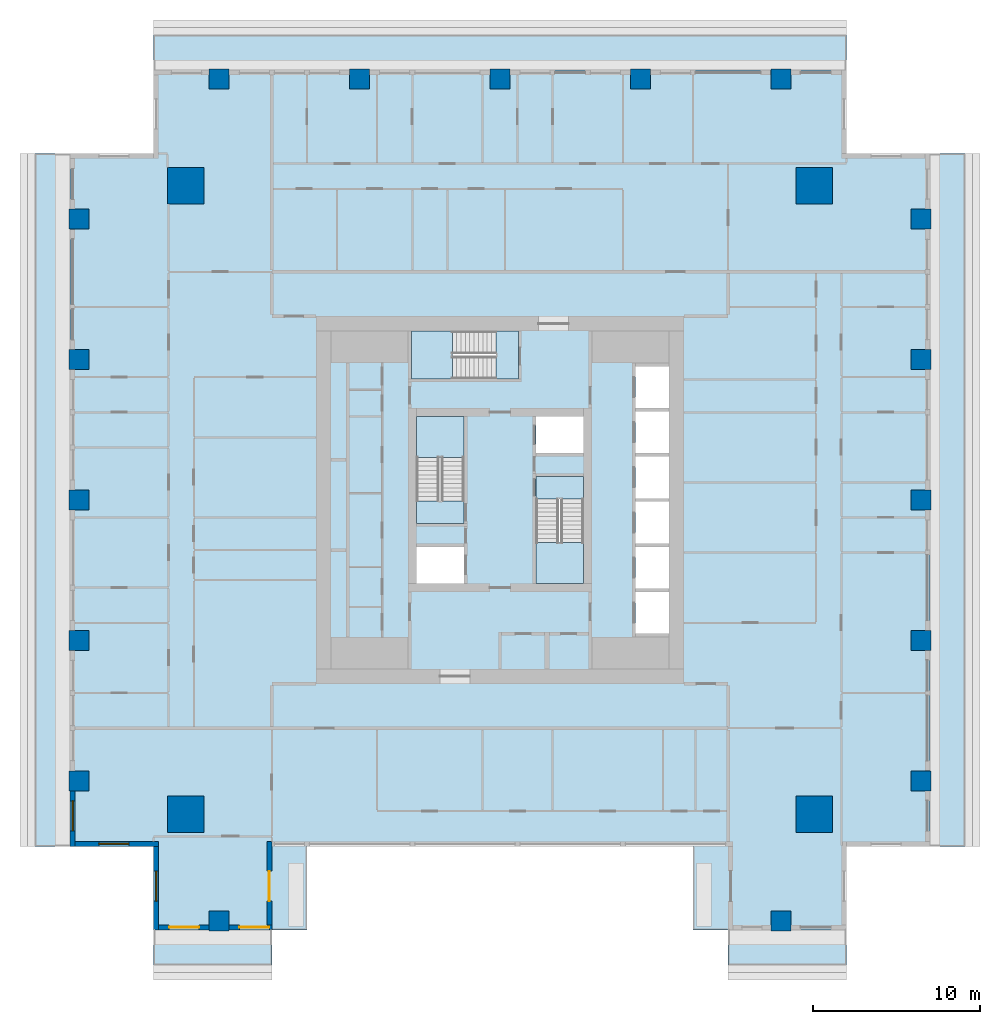
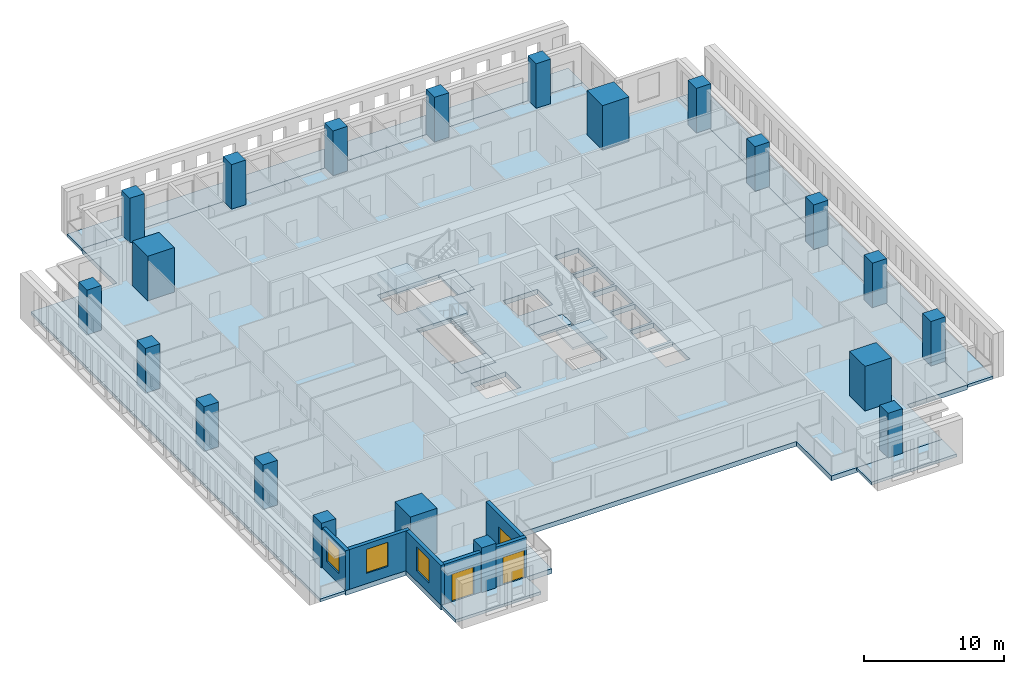
# One storey, part 1 of 14: 21 columns, 12 slabs, 6 walls, 3 doors, 3 windows, 6 openings, 3 elements without a shape of their own.
"""IFC4 building model written with IfcOpenShell, lengths in metres."""

from ifc_helpers import new_model, si_unit, direction, frame, frame_2d, origin, origin_2d, place, context, subcontext, project, spatial, polyline, rectangle, outline, extrude, material, layer, layer_set, material_profile, profile_set, type_object, element, fill, aggregate, save


model = new_model("IFC4")

# Units and contexts
model_context = context("Model", 3, precision=1e-05, world=origin(), true_north=direction((0.0, 1.0)))
body_context = subcontext(model_context, "Body", "Model", "MODEL_VIEW")
ifc_project = project(units=[si_unit("LENGTHUNIT", "METRE"), si_unit("AREAUNIT", "SQUARE_METRE"), si_unit("VOLUMEUNIT", "CUBIC_METRE"), si_unit("PLANEANGLEUNIT", "RADIAN"), si_unit("MASSUNIT", "GRAM", prefix="KILO")], contexts=[model_context])

# Site, building, storey
site_placement = place(None, origin())
site = spatial("IfcSite", under=ifc_project, at=site_placement, CompositionType="ELEMENT")
building_placement = place(site_placement, origin())
building = spatial("IfcBuilding", under=site, at=building_placement, Name="Khepri Terraces", CompositionType="ELEMENT")
storey_placement = place(building_placement, frame((0.0, 0.0, 279.60009765625)))
storey = spatial("IfcBuildingStorey", under=building, at=storey_placement, Name="L67", CompositionType="ELEMENT", Elevation=279.60009765625)

# Columns
ifc_material_1 = material(Name="Concrete C40/50", Category="concrete")
ifc_material_profile_1 = material_profile(ifc_material_1, rectangle(XDim=2.199951171875, YDim=2.199951171875, at=origin_2d()), Name="Concrete C40/50", Category="concrete")
ifc_profile_set_1 = profile_set([ifc_material_profile_1], Name="Concrete C40/50")
column_type_1 = type_object("IfcColumnType", Name="Mega column RC 2200x2200 C40/50", PredefinedType="COLUMN", material=ifc_profile_set_1)
for number, where, z_axis, x_axis, name in (
    (1, (18.800048828125, 18.800048828125, 0.0), (0.0, 0.0, 1.0), (1.0, 0.0, 0.0), "Mega column MEN L67"),
    (2, (18.800048828125, -18.800048828125, 0.0), (0.0, 0.0, 1.0), (1.0, 0.0, 0.0), "Mega column MES L67"),
    (3, (-18.800048828125, 18.800048828125, 0.0), (0.0, 0.0, 1.0), (1.0, 0.0, 0.0), "Mega column MWN L67"),
    (4, (-18.800048828125, -18.800048828125, 0.0), (0.0, 0.0, 1.0), (1.0, 0.0, 0.0), "Mega column MWS L67"),
):
    element("IfcColumn", number, at=place(storey_placement, frame(where, z_axis=z_axis, x_axis=x_axis)), inside=storey, type_object=column_type_1, Name=name, PredefinedType="COLUMN", context=body_context, shape_type="SweptSolid", body=[
        extrude(rectangle(XDim=2.199951171875, YDim=2.199951171875, at=origin_2d()), origin(), (0.0, 0.0, 1.0), 3.89990234375),
    ])
ifc_material_profile_2 = material_profile(ifc_material_1, rectangle(XDim=1.199951171875, YDim=1.199951171875, at=origin_2d()), Name="Concrete C40/50", Category="concrete")
ifc_profile_set_2 = profile_set([ifc_material_profile_2], Name="Concrete C40/50")
column_type_2 = type_object("IfcColumnType", Name="Tower column RC 1200x1200 C40/50", PredefinedType="COLUMN", material=ifc_profile_set_2)
for number, where, z_axis, x_axis, name in (
    (5, (25.199951171875, 0.0, 0.0), (0.0, 0.0, 1.0), (1.0, 0.0, 0.0), "Perimeter column PE+000b L67"),
    (6, (25.199951171875, 8.39990234375, 0.0), (0.0, 0.0, 1.0), (1.0, 0.0, 0.0), "Perimeter column PE+084b L67"),
    (7, (25.199951171875, 16.800048828125, 0.0), (0.0, 0.0, 1.0), (1.0, 0.0, 0.0), "Perimeter column PE+168a L67"),
    (8, (25.199951171875, -8.39990234375, 0.0), (0.0, 0.0, 1.0), (1.0, 0.0, 0.0), "Perimeter column PE-084b L67"),
    (9, (25.199951171875, -16.800048828125, 0.0), (0.0, 0.0, 1.0), (1.0, 0.0, 0.0), "Perimeter column PE-168a L67"),
    (10, (0.0, 25.199951171875, 0.0), (0.0, 0.0, 1.0), (1.0, 0.0, 0.0), "Perimeter column PN+000b L67"),
    (11, (-8.39990234375, 25.199951171875, 0.0), (0.0, 0.0, 1.0), (1.0, 0.0, 0.0), "Perimeter column PN+084b L67"),
    (12, (-16.800048828125, 25.199951171875, 0.0), (0.0, 0.0, 1.0), (1.0, 0.0, 0.0), "Perimeter column PN+168a L67"),
    (13, (8.39990234375, 25.199951171875, 0.0), (0.0, 0.0, 1.0), (1.0, 0.0, 0.0), "Perimeter column PN-084b L67"),
    (14, (16.800048828125, 25.199951171875, 0.0), (0.0, 0.0, 1.0), (1.0, 0.0, 0.0), "Perimeter column PN-168a L67"),
    (15, (16.800048828125, -25.199951171875, 0.0), (0.0, 0.0, 1.0), (1.0, 0.0, 0.0), "Perimeter column PS+168a L67"),
    (16, (-16.800048828125, -25.199951171875, 0.0), (0.0, 0.0, 1.0), (1.0, 0.0, 0.0), "Perimeter column PS-168a L67"),
    (17, (-25.199951171875, 0.0, 0.0), (0.0, 0.0, 1.0), (1.0, 0.0, 0.0), "Perimeter column PW+000b L67"),
    (18, (-25.199951171875, -8.39990234375, 0.0), (0.0, 0.0, 1.0), (1.0, 0.0, 0.0), "Perimeter column PW+084b L67"),
    (19, (-25.199951171875, -16.800048828125, 0.0), (0.0, 0.0, 1.0), (1.0, 0.0, 0.0), "Perimeter column PW+168a L67"),
    (20, (-25.199951171875, 8.39990234375, 0.0), (0.0, 0.0, 1.0), (1.0, 0.0, 0.0), "Perimeter column PW-084b L67"),
    (21, (-25.199951171875, 16.800048828125, 0.0), (0.0, 0.0, 1.0), (1.0, 0.0, 0.0), "Perimeter column PW-168a L67"),
):
    element("IfcColumn", number, at=place(storey_placement, frame(where, z_axis=z_axis, x_axis=x_axis)), inside=storey, type_object=column_type_2, Name=name, PredefinedType="COLUMN", context=body_context, shape_type="SweptSolid", body=[
        extrude(rectangle(XDim=1.199951171875, YDim=1.199951171875, at=origin_2d()), origin(), (0.0, 0.0, 1.0), 3.89990234375),
    ])

# Slabs
ifc_layer_1 = layer(ifc_material_1, 0.419921875, Name="Concrete C40/50", Category="concrete")
ifc_layer_set_1 = layer_set([ifc_layer_1], Name="Concrete C40/50")
slab_type_1 = type_object("IfcSlabType", Name="Flat plate 420", PredefinedType="FLOOR", material=ifc_layer_set_1)
slab_1_placement = place(storey_placement, frame((0.0, 0.0, -0.420166015625)))
element("IfcSlab", 22, at=slab_1_placement, inside=storey, type_object=slab_type_1, Name="Floor slab F01 L67", PredefinedType="FLOOR", context=body_context, shape_type="SweptSolid", body=[
    extrude(outline(polyline([(25.719970703125, -20.719970703125), (20.719970703125, -20.719970703125), (20.719970703125, -25.719970703125), (13.64990234375, -25.719970703125), (11.550048828125, -25.719970703125), (11.550048828125, -20.719970703125), (-11.550048828125, -20.719970703125), (-11.550048828125, -25.719970703125), (-13.64990234375, -25.719970703125), (-20.719970703125, -25.719970703125), (-20.719970703125, -20.719970703125), (-25.719970703125, -20.719970703125), (-25.719970703125, 20.719970703125), (-20.719970703125, 20.719970703125), (-20.719970703125, 25.719970703125), (20.719970703125, 25.719970703125), (20.719970703125, 20.719970703125), (25.719970703125, 20.719970703125), (25.719970703125, -20.719970703125)]), holes=[polyline([(2.14990234375, 2.800048828125), (5.0, 2.800048828125), (5.0, 5.0), (2.14990234375, 5.0), (2.14990234375, 2.800048828125)]), polyline([(-5.0, -2.800048828125), (-5.0, -5.0), (-2.14990234375, -5.0), (-2.14990234375, -2.800048828125), (-5.0, -2.800048828125)]), polyline([(10.10009765625, -5.5), (8.10009765625, -5.5), (8.10009765625, -8.0), (10.10009765625, -8.0), (10.10009765625, -5.5)]), polyline([(10.10009765625, -5.300048828125), (10.10009765625, -2.800048828125), (8.10009765625, -2.800048828125), (8.10009765625, -5.300048828125), (10.10009765625, -5.300048828125)]), polyline([(8.10009765625, -2.60009765625), (10.10009765625, -2.60009765625), (10.10009765625, -0.10009765625), (8.10009765625, -0.10009765625), (8.10009765625, -2.60009765625)]), polyline([(8.10009765625, 2.60009765625), (8.10009765625, 0.10009765625), (10.10009765625, 0.10009765625), (10.10009765625, 2.60009765625), (8.10009765625, 2.60009765625)]), polyline([(10.10009765625, 5.300048828125), (8.10009765625, 5.300048828125), (8.10009765625, 2.800048828125), (10.10009765625, 2.800048828125), (10.10009765625, 5.300048828125)]), polyline([(10.10009765625, 5.5), (10.10009765625, 8.0), (8.10009765625, 8.0), (8.10009765625, 5.5), (10.10009765625, 5.5)]), polyline([(-5.0, -1.39990234375), (-2.14990234375, -1.39990234375), (-2.14990234375, 5.0), (-5.0, 5.0), (-5.0, -1.39990234375)]), polyline([(5.0, -5.0), (5.0, 1.39990234375), (2.14990234375, 1.39990234375), (2.14990234375, -5.0), (5.0, -5.0)]), polyline([(-5.300048828125, 10.10009765625), (-5.300048828125, 7.25), (1.10009765625, 7.25), (1.10009765625, 10.10009765625), (-5.300048828125, 10.10009765625)])]), origin(), (0.0, 0.0, 1.0), 0.420166015625),
])
ifc_material_2 = material(Name="Precast concrete C50/60 warm stone", Category="masonry")
ifc_layer_2 = layer(ifc_material_2, 0.25, Name="Precast concrete C50/60 warm stone", Category="masonry")
ifc_layer_set_2 = layer_set([ifc_layer_2], Name="Precast concrete C50/60 warm stone")
slab_type_2 = type_object("IfcSlabType", Name="SLB-BALCONY-250", PredefinedType="FLOOR", material=ifc_layer_set_2)
slab_2_placement = place(storey_placement, frame((0.0, 0.0, -0.25)))
element("IfcSlab", 23, at=slab_2_placement, inside=storey, type_object=slab_type_2, Name="Balcony slab L67 S", PredefinedType="FLOOR", context=body_context, shape_type="SweptSolid", body=[
    extrude(outline(polyline([(-17.39990234375, -25.719970703125), (-20.719970703125, -25.719970703125), (-20.719970703125, -27.820068359375), (-13.64990234375, -27.820068359375), (-13.64990234375, -25.719970703125), (-16.199951171875, -25.719970703125), (-16.199951171875, -25.800048828125), (-17.39990234375, -25.800048828125), (-17.39990234375, -25.719970703125)])), origin(), (0.0, 0.0, 1.0), 0.25),
])
slab_3_placement = place(storey_placement, frame((0.0, 0.0, -0.25)))
element("IfcSlab", 24, at=slab_3_placement, inside=storey, type_object=slab_type_2, Name="Balcony slab L67 S", PredefinedType="FLOOR", context=body_context, shape_type="SweptSolid", body=[
    extrude(outline(polyline([(16.199951171875, -25.719970703125), (13.64990234375, -25.719970703125), (13.64990234375, -27.820068359375), (20.719970703125, -27.820068359375), (20.719970703125, -25.719970703125), (17.39990234375, -25.719970703125), (17.39990234375, -25.800048828125), (16.199951171875, -25.800048828125), (16.199951171875, -25.719970703125)])), origin(), (0.0, 0.0, 1.0), 0.25),
])
slab_4_placement = place(storey_placement, frame((0.0, 0.0, -0.25)))
element("IfcSlab", 25, at=slab_4_placement, inside=storey, type_object=slab_type_2, Name="Balcony slab L67 E", PredefinedType="FLOOR", context=body_context, shape_type="SweptSolid", body=[
    extrude(outline(polyline([(25.719970703125, -17.39990234375), (25.719970703125, -20.719970703125), (27.820068359375, -20.719970703125), (27.820068359375, 20.719970703125), (25.719970703125, 20.719970703125), (25.719970703125, 17.39990234375), (25.800048828125, 17.39990234375), (25.800048828125, 16.199951171875), (25.719970703125, 16.199951171875), (25.719970703125, 9.0), (25.800048828125, 9.0), (25.800048828125, 7.800048828125), (25.719970703125, 7.800048828125), (25.719970703125, 0.60009765625), (25.800048828125, 0.60009765625), (25.800048828125, -0.60009765625), (25.719970703125, -0.60009765625), (25.719970703125, -7.800048828125), (25.800048828125, -7.800048828125), (25.800048828125, -9.0), (25.719970703125, -9.0), (25.719970703125, -16.199951171875), (25.800048828125, -16.199951171875), (25.800048828125, -17.39990234375), (25.719970703125, -17.39990234375)])), origin(), (0.0, 0.0, 1.0), 0.25),
])
slab_5_placement = place(storey_placement, frame((0.0, 0.0, -0.25)))
element("IfcSlab", 26, at=slab_5_placement, inside=storey, type_object=slab_type_2, Name="Balcony slab L67 N", PredefinedType="FLOOR", context=body_context, shape_type="SweptSolid", body=[
    extrude(outline(polyline([(17.39990234375, 25.719970703125), (20.719970703125, 25.719970703125), (20.719970703125, 27.820068359375), (-20.719970703125, 27.820068359375), (-20.719970703125, 25.719970703125), (-17.39990234375, 25.719970703125), (-17.39990234375, 25.800048828125), (-16.199951171875, 25.800048828125), (-16.199951171875, 25.719970703125), (-9.0, 25.719970703125), (-9.0, 25.800048828125), (-7.800048828125, 25.800048828125), (-7.800048828125, 25.719970703125), (-0.60009765625, 25.719970703125), (-0.60009765625, 25.800048828125), (0.60009765625, 25.800048828125), (0.60009765625, 25.719970703125), (7.800048828125, 25.719970703125), (7.800048828125, 25.800048828125), (9.0, 25.800048828125), (9.0, 25.719970703125), (16.199951171875, 25.719970703125), (16.199951171875, 25.800048828125), (17.39990234375, 25.800048828125), (17.39990234375, 25.719970703125)])), origin(), (0.0, 0.0, 1.0), 0.25),
])
slab_6_placement = place(storey_placement, frame((0.0, 0.0, -0.25)))
element("IfcSlab", 27, at=slab_6_placement, inside=storey, type_object=slab_type_2, Name="Balcony slab L67 W", PredefinedType="FLOOR", context=body_context, shape_type="SweptSolid", body=[
    extrude(outline(polyline([(-25.719970703125, 17.39990234375), (-25.719970703125, 20.719970703125), (-27.820068359375, 20.719970703125), (-27.820068359375, -20.719970703125), (-25.719970703125, -20.719970703125), (-25.719970703125, -17.39990234375), (-25.800048828125, -17.39990234375), (-25.800048828125, -16.199951171875), (-25.719970703125, -16.199951171875), (-25.719970703125, -9.0), (-25.800048828125, -9.0), (-25.800048828125, -7.800048828125), (-25.719970703125, -7.800048828125), (-25.719970703125, -0.60009765625), (-25.800048828125, -0.60009765625), (-25.800048828125, 0.60009765625), (-25.719970703125, 0.60009765625), (-25.719970703125, 7.800048828125), (-25.800048828125, 7.800048828125), (-25.800048828125, 9.0), (-25.719970703125, 9.0), (-25.719970703125, 16.199951171875), (-25.800048828125, 16.199951171875), (-25.800048828125, 17.39990234375), (-25.719970703125, 17.39990234375)])), origin(), (0.0, 0.0, 1.0), 0.25),
])

# Stair, slabs
stair_type = type_object("IfcStairType", Name="STAIR-RC-22R", PredefinedType="HALF_TURN_STAIR", material=ifc_material_1)
stair_1_placement = place(storey_placement, origin())
stair_1 = element("IfcStair", 28, at=stair_1_placement, inside=storey, type_object=stair_type, Name="L67 Exit Stair ST-1", PredefinedType="HALF_TURN_STAIR")
ifc_layer_3 = layer(ifc_material_1, 0.199951171875, Name="Concrete C40/50", Category="concrete")
ifc_layer_set_3 = layer_set([ifc_layer_3], Name="Concrete C40/50")
slab_type_3 = type_object("IfcSlabType", Name="SLB-CORE-LANDING", PredefinedType="LANDING", material=ifc_layer_set_3)
slab_7_placement = place(storey_placement, frame((0.0, 0.0, -0.2001953125)))
slab_7 = element("IfcSlab", 29, at=slab_7_placement, type_object=slab_type_3, Name="ST-1 landing 1", PredefinedType="LANDING", context=body_context, shape_type="SweptSolid", body=[
    extrude(outline(polyline([(-2.14990234375, -1.39990234375), (-2.14990234375, -0.050048828125), (-5.0, -0.050048828125), (-5.0, -1.39990234375), (-2.14990234375, -1.39990234375)])), origin(), (0.0, 0.0, 1.0), 0.2001953125),
])
slab_8_placement = place(storey_placement, frame((0.0, 0.0, 1.75)))
slab_8 = element("IfcSlab", 30, at=slab_8_placement, type_object=slab_type_3, Name="ST-1 landing 2", PredefinedType="LANDING", context=body_context, shape_type="SweptSolid", body=[
    extrude(outline(polyline([(-2.14990234375, 2.550048828125), (-2.14990234375, 5.0), (-5.0, 5.0), (-5.0, 2.550048828125), (-2.14990234375, 2.550048828125)])), origin(), (0.0, 0.0, 1.0), 0.199951171875),
])
aggregate(stair_1, [slab_7, slab_8])

stair_2_placement = place(storey_placement, origin())
stair_2 = element("IfcStair", 31, at=stair_2_placement, inside=storey, type_object=stair_type, Name="L67 Exit Stair ST-2", PredefinedType="HALF_TURN_STAIR")
slab_9_placement = place(storey_placement, frame((0.0, 0.0, -0.2001953125)))
slab_9 = element("IfcSlab", 32, at=slab_9_placement, type_object=slab_type_3, Name="ST-2 landing 1", PredefinedType="LANDING", context=body_context, shape_type="SweptSolid", body=[
    extrude(outline(polyline([(2.14990234375, 1.39990234375), (2.14990234375, 0.050048828125), (5.0, 0.050048828125), (5.0, 1.39990234375), (2.14990234375, 1.39990234375)])), origin(), (0.0, 0.0, 1.0), 0.2001953125),
])
slab_10_placement = place(storey_placement, frame((0.0, 0.0, 1.75)))
slab_10 = element("IfcSlab", 33, at=slab_10_placement, type_object=slab_type_3, Name="ST-2 landing 2", PredefinedType="LANDING", context=body_context, shape_type="SweptSolid", body=[
    extrude(outline(polyline([(2.14990234375, -2.550048828125), (2.14990234375, -5.0), (5.0, -5.0), (5.0, -2.550048828125), (2.14990234375, -2.550048828125)])), origin(), (0.0, 0.0, 1.0), 0.199951171875),
])
aggregate(stair_2, [slab_9, slab_10])

stair_3_placement = place(storey_placement, origin())
stair_3 = element("IfcStair", 34, at=stair_3_placement, inside=storey, type_object=stair_type, Name="L67 Exit Stair ST-3", PredefinedType="HALF_TURN_STAIR")
slab_11_placement = place(storey_placement, frame((0.0, 0.0, -0.2001953125)))
slab_11 = element("IfcSlab", 35, at=slab_11_placement, type_object=slab_type_3, Name="ST-3 landing 1", PredefinedType="LANDING", context=body_context, shape_type="SweptSolid", body=[
    extrude(outline(polyline([(1.10009765625, 10.10009765625), (-0.25, 10.10009765625), (-0.25, 7.25), (1.10009765625, 7.25), (1.10009765625, 10.10009765625)])), origin(), (0.0, 0.0, 1.0), 0.2001953125),
])
slab_12_placement = place(storey_placement, frame((0.0, 0.0, 1.75)))
slab_12 = element("IfcSlab", 36, at=slab_12_placement, type_object=slab_type_3, Name="ST-3 landing 2", PredefinedType="LANDING", context=body_context, shape_type="SweptSolid", body=[
    extrude(outline(polyline([(-2.85009765625, 10.10009765625), (-5.300048828125, 10.10009765625), (-5.300048828125, 7.25), (-2.85009765625, 7.25), (-2.85009765625, 10.10009765625)])), origin(), (0.0, 0.0, 1.0), 0.199951171875),
])
aggregate(stair_3, [slab_11, slab_12])

# Wall, opening, window
ifc_layer_4 = layer(ifc_material_2, 0.300048828125, Name="Precast concrete C50/60 warm stone", Category="masonry")
ifc_layer_set_4 = layer_set([ifc_layer_4], Name="Precast concrete C50/60 warm stone")
wall_type = type_object("IfcWallType", Name="WL-EXT-PRECAST-300", PredefinedType="STANDARD", material=ifc_layer_set_4)
wall_1_placement = place(storey_placement, frame((-25.570068359375, -17.39990234375, 0.0), z_axis=(0.0, 0.0, 1.0), x_axis=(0.0, -1.0, 0.0)))
wall_1 = element("IfcWall", 37, at=wall_1_placement, inside=storey, type_object=wall_type, Name="External wall L67 W", PredefinedType="STANDARD", context=body_context, shape_type="SweptSolid", body=[
    extrude(rectangle(XDim=3.320068359375, YDim=0.300048828125, at=frame_2d((1.66015625, 0.0))), origin(), (0.0, 0.0, 1.0), 3.47998046875),
])
opening_1_placement = place(wall_1_placement, frame((0.60009765625, 0.0, 0.89990234375)))
opening_1 = element("IfcOpeningElement", 38, at=opening_1_placement, cuts=wall_1, Name="Opening W1", PredefinedType="OPENING", context=body_context, shape_type="SweptSolid", body=[
    extrude(rectangle(XDim=1.800048828125, YDim=2.10009765625, at=frame_2d((0.89990234375, 1.050048828125))), frame((0.0, 0.16015625, 0.0), z_axis=(0.0, -1.0, 0.0), x_axis=(1.0, 0.0, 0.0)), (0.0, 0.0, 1.0), 0.320068359375),
])
ifc_material_3 = material(Name="Clear glass", Category="glass")
window_type = type_object("IfcWindowType", Name="WIN-RES-1800x2100", PartitioningType="SINGLE_PANEL", PredefinedType="WINDOW", material=ifc_material_3)
window_1_placement = place(opening_1_placement, origin())
window_1 = element("IfcWindow", 39, at=window_1_placement, inside=storey, type_object=window_type, Name="Window L67 W", OverallHeight=2.10009765625, OverallWidth=1.800048828125, PartitioningType="SINGLE_PANEL", PredefinedType="WINDOW", context=body_context, shape_type="SweptSolid", body=[
    extrude(rectangle(XDim=1.800048828125, YDim=2.10009765625, at=frame_2d((0.89990234375, 1.050048828125))), frame((0.0, 0.030029296875, 0.0), z_axis=(0.0, -1.0, 0.0), x_axis=(1.0, 0.0, 0.0)), (0.0, 0.0, 1.0), 0.06005859375),
])
fill(opening_1, window_1)

wall_2_placement = place(storey_placement, frame((-25.419921875, -20.570068359375, 0.0), z_axis=(0.0, 0.0, 1.0), x_axis=(1.0, 0.0, 0.0)))
wall_2 = element("IfcWall", 40, at=wall_2_placement, inside=storey, type_object=wall_type, Name="External wall L67 S", PredefinedType="STANDARD", context=body_context, shape_type="SweptSolid", body=[
    extrude(rectangle(XDim=5.0, YDim=0.300048828125, at=frame_2d((2.5, 0.0))), origin(), (0.0, 0.0, 1.0), 3.47998046875),
])
opening_2_placement = place(wall_2_placement, frame((1.419921875, 0.0, 0.89990234375)))
opening_2 = element("IfcOpeningElement", 41, at=opening_2_placement, cuts=wall_2, Name="Opening W1", PredefinedType="OPENING", context=body_context, shape_type="SweptSolid", body=[
    extrude(rectangle(XDim=1.800048828125, YDim=2.10009765625, at=frame_2d((0.89990234375, 1.050048828125))), frame((0.0, 0.16015625, 0.0), z_axis=(0.0, -1.0, 0.0), x_axis=(1.0, 0.0, 0.0)), (0.0, 0.0, 1.0), 0.320068359375),
])
window_2_placement = place(opening_2_placement, origin())
window_2 = element("IfcWindow", 42, at=window_2_placement, inside=storey, type_object=window_type, Name="Window L67 S", OverallHeight=2.10009765625, OverallWidth=1.800048828125, PartitioningType="SINGLE_PANEL", PredefinedType="WINDOW", context=body_context, shape_type="SweptSolid", body=[
    extrude(rectangle(XDim=1.800048828125, YDim=2.10009765625, at=frame_2d((0.89990234375, 1.050048828125))), frame((0.0, 0.030029296875, 0.0), z_axis=(0.0, -1.0, 0.0), x_axis=(1.0, 0.0, 0.0)), (0.0, 0.0, 1.0), 0.06005859375),
])
fill(opening_2, window_2)

wall_3_placement = place(storey_placement, frame((-20.570068359375, -20.719970703125, 0.0), z_axis=(0.0, 0.0, 1.0), x_axis=(0.0, -1.0, 0.0)))
wall_3 = element("IfcWall", 43, at=wall_3_placement, inside=storey, type_object=wall_type, Name="External wall L67 W", PredefinedType="STANDARD", context=body_context, shape_type="SweptSolid", body=[
    extrude(rectangle(XDim=5.0, YDim=0.300048828125, at=frame_2d((2.5, 0.0))), origin(), (0.0, 0.0, 1.0), 3.47998046875),
])
opening_3_placement = place(wall_3_placement, frame((1.47998046875, 0.0, 0.89990234375)))
opening_3 = element("IfcOpeningElement", 44, at=opening_3_placement, cuts=wall_3, Name="Opening W1", PredefinedType="OPENING", context=body_context, shape_type="SweptSolid", body=[
    extrude(rectangle(XDim=1.800048828125, YDim=2.10009765625, at=frame_2d((0.89990234375, 1.050048828125))), frame((0.0, 0.16015625, 0.0), z_axis=(0.0, -1.0, 0.0), x_axis=(1.0, 0.0, 0.0)), (0.0, 0.0, 1.0), 0.320068359375),
])
window_3_placement = place(opening_3_placement, origin())
window_3 = element("IfcWindow", 45, at=window_3_placement, inside=storey, type_object=window_type, Name="Window L67 W", OverallHeight=2.10009765625, OverallWidth=1.800048828125, PartitioningType="SINGLE_PANEL", PredefinedType="WINDOW", context=body_context, shape_type="SweptSolid", body=[
    extrude(rectangle(XDim=1.800048828125, YDim=2.10009765625, at=frame_2d((0.89990234375, 1.050048828125))), frame((0.0, 0.030029296875, 0.0), z_axis=(0.0, -1.0, 0.0), x_axis=(1.0, 0.0, 0.0)), (0.0, 0.0, 1.0), 0.06005859375),
])
fill(opening_3, window_3)

# Wall, opening, door
wall_4_placement = place(storey_placement, frame((-20.419921875, -25.570068359375, 0.0), z_axis=(0.0, 0.0, 1.0), x_axis=(1.0, 0.0, 0.0)))
wall_4 = element("IfcWall", 46, at=wall_4_placement, inside=storey, type_object=wall_type, Name="External wall L67 S", PredefinedType="STANDARD", context=body_context, shape_type="SweptSolid", body=[
    extrude(rectangle(XDim=3.02001953125, YDim=0.300048828125, at=frame_2d((1.510009765625, 0.0))), origin(), (0.0, 0.0, 1.0), 3.47998046875),
])
opening_4_placement = place(wall_4_placement, frame((0.6201171875, 0.0, 0.0)))
opening_4 = element("IfcOpeningElement", 47, at=opening_4_placement, cuts=wall_4, Name="Opening ED-L67-11", PredefinedType="OPENING", context=body_context, shape_type="SweptSolid", body=[
    extrude(rectangle(XDim=1.800048828125, YDim=2.39990234375, at=frame_2d((0.89990234375, 1.199951171875))), frame((0.0, 0.16015625, 0.0), z_axis=(0.0, -1.0, 0.0), x_axis=(1.0, 0.0, 0.0)), (0.0, 0.0, 1.0), 0.320068359375),
])
ifc_material_4 = material(Name="Anodised aluminium bronze glazed door", Category="aluminium")
door_type = type_object("IfcDoorType", Name="DR-BAL-SLIDE-1800x2400", OperationType="NOTDEFINED", PredefinedType="DOOR", material=ifc_material_4)
door_1_placement = place(opening_4_placement, origin())
door_1 = element("IfcDoor", 48, at=door_1_placement, inside=storey, type_object=door_type, Name="Balcony door L67 S", OperationType="SLIDING_TO_RIGHT", OverallHeight=2.39990234375, OverallWidth=1.800048828125, PredefinedType="DOOR", context=body_context, shape_type="SweptSolid", body=[
    extrude(rectangle(XDim=1.800048828125, YDim=2.39990234375, at=frame_2d((0.89990234375, 1.199951171875))), frame((0.0, 0.02490234375, 0.0), z_axis=(0.0, -1.0, 0.0), x_axis=(1.0, 0.0, 0.0)), (0.0, 0.0, 1.0), 0.050048828125),
])
fill(opening_4, door_1)

wall_5_placement = place(storey_placement, frame((-16.199951171875, -25.570068359375, 0.0), z_axis=(0.0, 0.0, 1.0), x_axis=(1.0, 0.0, 0.0)))
wall_5 = element("IfcWall", 49, at=wall_5_placement, inside=storey, type_object=wall_type, Name="External wall L67 S", PredefinedType="STANDARD", context=body_context, shape_type="SweptSolid", body=[
    extrude(rectangle(XDim=2.550048828125, YDim=0.300048828125, at=frame_2d((1.27490234375, 0.0))), origin(), (0.0, 0.0, 1.0), 3.47998046875),
])
opening_5_placement = place(wall_5_placement, frame((0.60009765625, 0.0, 0.0)))
opening_5 = element("IfcOpeningElement", 50, at=opening_5_placement, cuts=wall_5, Name="Opening ED-L67-12", PredefinedType="OPENING", context=body_context, shape_type="SweptSolid", body=[
    extrude(rectangle(XDim=1.800048828125, YDim=2.39990234375, at=frame_2d((0.89990234375, 1.199951171875))), frame((0.0, 0.16015625, 0.0), z_axis=(0.0, -1.0, 0.0), x_axis=(1.0, 0.0, 0.0)), (0.0, 0.0, 1.0), 0.320068359375),
])
door_2_placement = place(opening_5_placement, origin())
door_2 = element("IfcDoor", 51, at=door_2_placement, inside=storey, type_object=door_type, Name="Balcony door L67 S", OperationType="SLIDING_TO_LEFT", OverallHeight=2.39990234375, OverallWidth=1.800048828125, PredefinedType="DOOR", context=body_context, shape_type="SweptSolid", body=[
    extrude(rectangle(XDim=1.800048828125, YDim=2.39990234375, at=frame_2d((0.89990234375, 1.199951171875))), frame((0.0, 0.02490234375, 0.0), z_axis=(0.0, -1.0, 0.0), x_axis=(1.0, 0.0, 0.0)), (0.0, 0.0, 1.0), 0.050048828125),
])
fill(opening_5, door_2)

wall_6_placement = place(storey_placement, frame((-13.800048828125, -25.419921875, 0.0), z_axis=(0.0, 0.0, 1.0), x_axis=(0.0, 1.0, 0.0)))
wall_6 = element("IfcWall", 52, at=wall_6_placement, inside=storey, type_object=wall_type, Name="External wall L67 E", PredefinedType="STANDARD", context=body_context, shape_type="SweptSolid", body=[
    extrude(rectangle(XDim=5.0, YDim=0.300048828125, at=frame_2d((2.5, 0.0))), origin(), (0.0, 0.0, 1.0), 3.47998046875),
])
opening_6_placement = place(wall_6_placement, frame((1.419921875, 0.0, 0.0)))
opening_6 = element("IfcOpeningElement", 53, at=opening_6_placement, cuts=wall_6, Name="Opening ED-L67-13", PredefinedType="OPENING", context=body_context, shape_type="SweptSolid", body=[
    extrude(rectangle(XDim=1.800048828125, YDim=2.39990234375, at=frame_2d((0.89990234375, 1.199951171875))), frame((0.0, 0.16015625, 0.0), z_axis=(0.0, -1.0, 0.0), x_axis=(1.0, 0.0, 0.0)), (0.0, 0.0, 1.0), 0.320068359375),
])
door_3_placement = place(opening_6_placement, origin())
door_3 = element("IfcDoor", 54, at=door_3_placement, inside=storey, type_object=door_type, Name="Balcony door L67 E", OperationType="SLIDING_TO_LEFT", OverallHeight=2.39990234375, OverallWidth=1.800048828125, PredefinedType="DOOR", context=body_context, shape_type="SweptSolid", body=[
    extrude(rectangle(XDim=1.800048828125, YDim=2.39990234375, at=frame_2d((0.89990234375, 1.199951171875))), frame((0.0, 0.02490234375, 0.0), z_axis=(0.0, -1.0, 0.0), x_axis=(1.0, 0.0, 0.0)), (0.0, 0.0, 1.0), 0.050048828125),
])
fill(opening_6, door_3)

save(model, "model.ifc")
